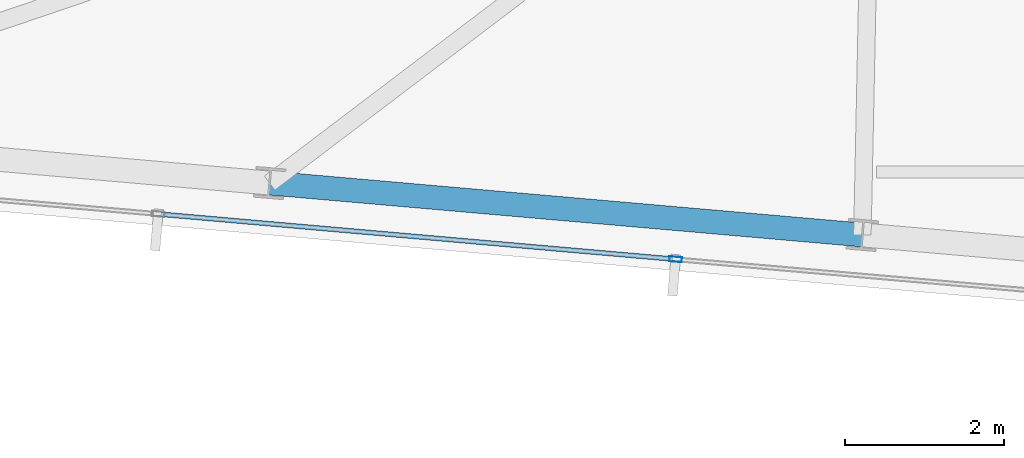
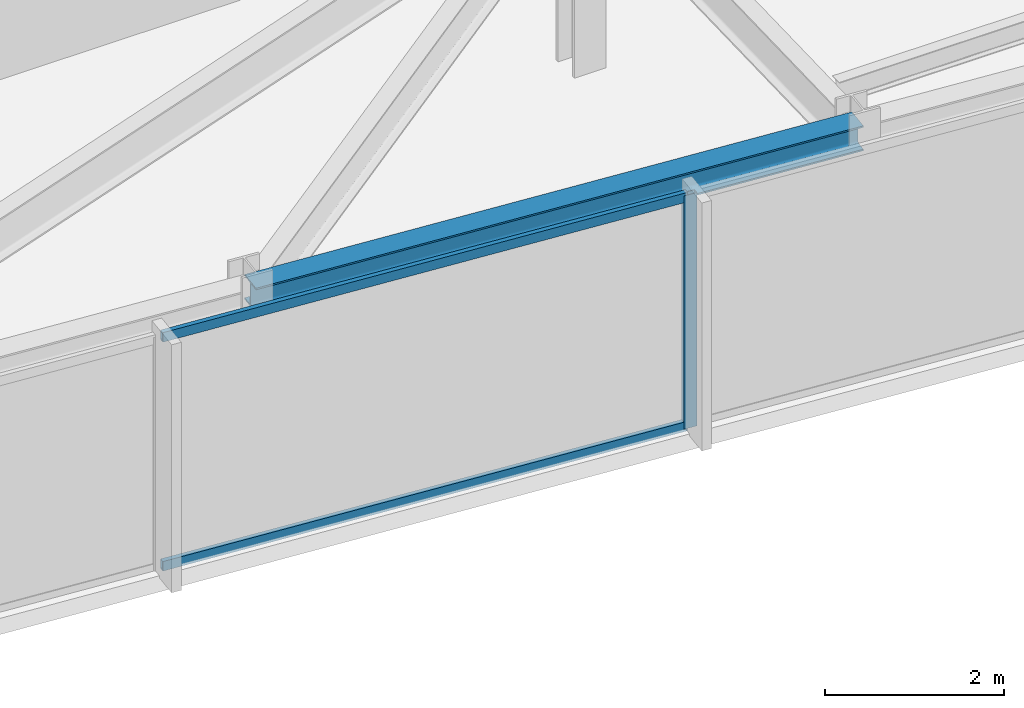
# One storey, part 3 of 32: 3 members, 1 beam, 1 element without a shape of its own.
"""IFC4 building model written with IfcOpenShell, lengths in metres."""

from ifc_helpers import new_model, si_unit, direction, frame, origin, origin_2d, place, context, subcontext, project, spatial, hollow_rectangle, i_section, extrude, material, material_profile, profile_set, type_object, element, aggregate, save


model = new_model("IFC4")

# Units and contexts
model_context = context("Model", 3, precision=1e-05, world=origin(), true_north=direction((0.0, 1.0)))
body_context = subcontext(model_context, "Body", "Model", "MODEL_VIEW")
ifc_project = project(units=[si_unit("LENGTHUNIT", "METRE"), si_unit("AREAUNIT", "SQUARE_METRE"), si_unit("VOLUMEUNIT", "CUBIC_METRE"), si_unit("PLANEANGLEUNIT", "RADIAN"), si_unit("MASSUNIT", "GRAM", prefix="KILO")], contexts=[model_context])

# Site, building, storey
site_placement = place(None, origin())
site = spatial("IfcSite", under=ifc_project, at=site_placement, CompositionType="ELEMENT")
building_placement = place(site_placement, origin())
building = spatial("IfcBuilding", under=site, at=building_placement, Name="Yelkora Congress Tower", CompositionType="ELEMENT")
storey_placement = place(building_placement, frame((0.0, 0.0, 265.89990234375)))
storey = spatial("IfcBuildingStorey", under=building, at=storey_placement, Name="L74", CompositionType="ELEMENT", Elevation=265.89990234375)

# Beam
ifc_material_1 = material(Name="Steel S355J2", Category="steel")
ifc_material_profile_1 = material_profile(ifc_material_1, i_section(OverallWidth=0.300048828125, OverallDepth=0.340087890625, WebThickness=0.011962890625, FlangeThickness=0.021484375, FilletRadius=0.027099609375, at=origin_2d()), Name="HEB 340")
ifc_profile_set_1 = profile_set([ifc_material_profile_1], Name="Steel S355J2")
beam_type = type_object("IfcBeamType", Name="BM-SPAN-HEB340", PredefinedType="SPANDREL", material=ifc_profile_set_1)
beam_placement = place(storey_placement, frame((15.452880859375, 19.445556640625, 3.010009765625), z_axis=(0.996193186297, -0.08717302092, 0.0), x_axis=(0.08717302092, 0.996193186297, 0.0)))
element("IfcBeam", 1, at=beam_placement, inside=storey, type_object=beam_type, Name="L74 Perimeter Beam 2", PredefinedType="SPANDREL", context=body_context, shape_type="SweptSolid", body=[
    extrude(i_section(OverallWidth=0.300048828125, OverallDepth=0.340087890625, WebThickness=0.011962890625, FlangeThickness=0.021484375, FilletRadius=0.027099609375, at=origin_2d()), origin(), (0.0, 0.0, 1.0), 7.4833984375),
])

# Curtain wall, members
ifc_material_2 = material(Name="Anodised aluminium and insulated glass", Category="aluminium")
curtain_wall_type = type_object("IfcCurtainWallType", Name="CW-SYS-B5", PredefinedType="NOTDEFINED", material=ifc_material_2)
curtain_wall_placement = place(storey_placement, origin())
curtain_wall = element("IfcCurtainWall", 2, at=curtain_wall_placement, inside=storey, type_object=curtain_wall_type, Name="L74 Unitised Curtain Wall 20", PredefinedType="NOTDEFINED")
ifc_material_3 = material(Name="Anodised aluminium 6063-T6", Category="aluminium")
ifc_material_profile_2 = material_profile(ifc_material_3, hollow_rectangle(XDim=0.06494140625, YDim=0.159912109375, WallThickness=0.00390625, at=origin_2d()), Name="ALU 65x160x4")
ifc_profile_set_2 = profile_set([ifc_material_profile_2], Name="Anodised aluminium 6063-T6")
member_type_1 = type_object("IfcMemberType", Name="MEM-ML-B5", PredefinedType="MULLION", material=ifc_profile_set_2)
member_1_placement = place(storey_placement, frame((20.558349609375, 18.487060546875, 0.0), z_axis=(0.0, 0.0, 1.0), x_axis=(-0.087156829793, -0.996194602987, 0.0)))
member_1 = element("IfcMember", 3, at=member_1_placement, type_object=member_type_1, Name="CW-B5 mullion 6", PredefinedType="MULLION", context=body_context, shape_type="SweptSolid", body=[
    extrude(hollow_rectangle(XDim=0.06494140625, YDim=0.159912109375, WallThickness=0.00390625, at=origin_2d()), origin(), (0.0, 0.0, 1.0), 3.18017578125),
])
ifc_material_profile_3 = material_profile(ifc_material_3, hollow_rectangle(XDim=0.06005859375, YDim=0.1298828125, WallThickness=0.00390625, at=origin_2d()), Name="ALU 60x130x4")
ifc_profile_set_3 = profile_set([ifc_material_profile_3], Name="Anodised aluminium 6063-T6")
member_type_2 = type_object("IfcMemberType", Name="MEM-TR-B5", PredefinedType="USERDEFINED", material=ifc_profile_set_3)
member_2_placement = place(storey_placement, frame((20.52587890625, 18.48974609375, 0.030029296875), z_axis=(-0.99619269288, 0.087178659385, 0.0), x_axis=(-0.087178659385, -0.99619269288, 0.0)))
member_2 = element("IfcMember", 4, at=member_2_placement, type_object=member_type_2, Name="CW-B5 transom 6.1", ObjectType="TRANSOM", PredefinedType="USERDEFINED", context=body_context, shape_type="SweptSolid", body=[
    extrude(hollow_rectangle(XDim=0.06005859375, YDim=0.1298828125, WallThickness=0.00390625, at=origin_2d()), origin(), (0.0, 0.0, 1.0), 6.46630859375),
])
member_3_placement = place(storey_placement, frame((20.52587890625, 18.48974609375, 3.150146484375), z_axis=(-0.99619269288, 0.087178659385, 0.0), x_axis=(-0.087178659385, -0.99619269288, 0.0)))
member_3 = element("IfcMember", 5, at=member_3_placement, type_object=member_type_2, Name="CW-B5 transom 6.2", ObjectType="TRANSOM", PredefinedType="USERDEFINED", context=body_context, shape_type="SweptSolid", body=[
    extrude(hollow_rectangle(XDim=0.06005859375, YDim=0.1298828125, WallThickness=0.00390625, at=origin_2d()), origin(), (0.0, 0.0, 1.0), 6.46630859375),
])
aggregate(curtain_wall, [member_1, member_2, member_3])

save(model, "model.ifc")
